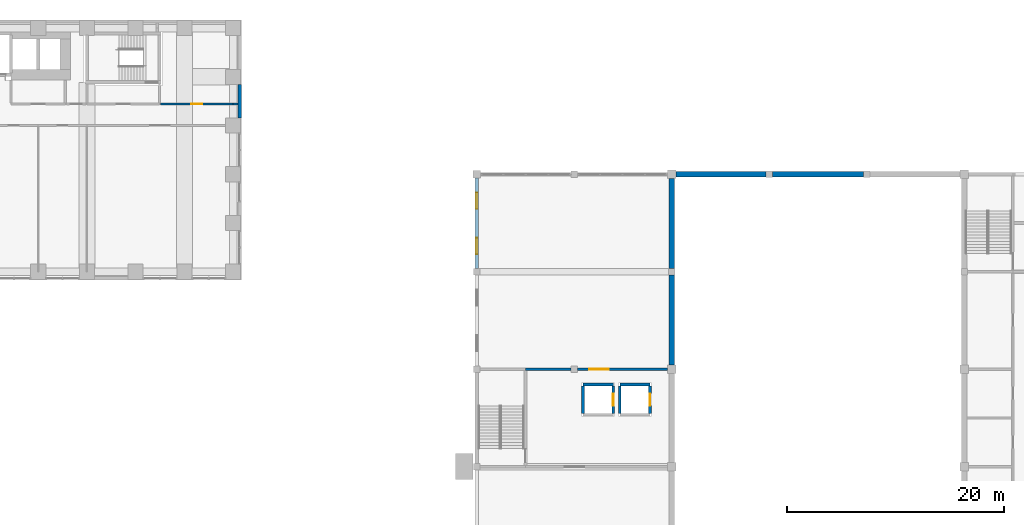
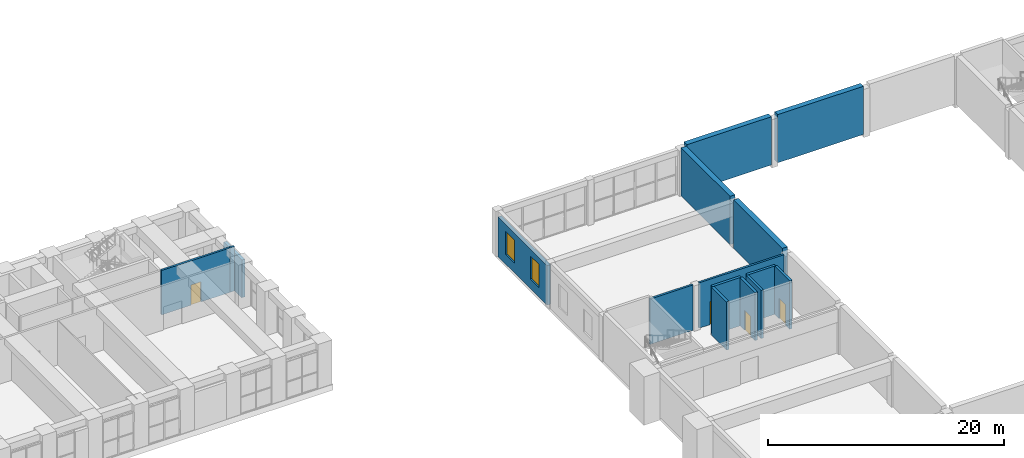
# One storey, part 20 of 30: 16 walls, 4 doors, 2 windows, 6 openings.
"""IFC4 building model written with IfcOpenShell, lengths in metres."""

from ifc_helpers import new_model, si_unit, direction, frame, frame_2d, origin, place, context, subcontext, project, spatial, rectangle, extrude, material, layer, layer_set, type_object, element, fill, save


model = new_model("IFC4")

# Units and contexts
model_context = context("Model", 3, precision=1e-05, world=origin(), true_north=direction((0.0, 1.0)))
body_context = subcontext(model_context, "Body", "Model", "MODEL_VIEW")
ifc_project = project(units=[si_unit("LENGTHUNIT", "METRE"), si_unit("AREAUNIT", "SQUARE_METRE"), si_unit("VOLUMEUNIT", "CUBIC_METRE"), si_unit("PLANEANGLEUNIT", "RADIAN"), si_unit("MASSUNIT", "GRAM", prefix="KILO")], contexts=[model_context])

# Site, building, storey
site_placement = place(None, origin())
site = spatial("IfcSite", under=ifc_project, at=site_placement, CompositionType="ELEMENT")
building_placement = place(site_placement, origin())
building = spatial("IfcBuilding", under=site, at=building_placement, Name="Firuza Court", CompositionType="ELEMENT")
storey_placement = place(building_placement, frame((0.0, 0.0, 9.0)))
storey = spatial("IfcBuildingStorey", under=building, at=storey_placement, Name="L01", CompositionType="ELEMENT", Elevation=9.0)

# Wall
ifc_material_1 = material(Name="Blockwork", Category="masonry")
ifc_layer_1 = layer(ifc_material_1, 0.199951171875)
ifc_layer_set_1 = layer_set([ifc_layer_1], Name="Blockwork")
wall_type_1 = type_object("IfcWallType", Name="HALL PARTITION 200", PredefinedType="STANDARD", material=ifc_layer_set_1)
wall_1_placement = place(storey_placement, frame((94.5, 27.0, 0.0), z_axis=(0.0, 0.0, 1.0), x_axis=(1.0, 0.0, 0.0)))
element("IfcWall", 1, at=wall_1_placement, inside=storey, type_object=wall_type_1, Name="Wall L01.36", PredefinedType="STANDARD", context=body_context, shape_type="SweptSolid", body=[
    extrude(rectangle(XDim=4.199951171875, YDim=0.199951171875, at=frame_2d((2.10009765625, 0.0))), origin(), (0.0, 0.0, 1.0), 4.699951171875),
])

# Wall, opening, door
wall_2_placement = place(storey_placement, frame((99.300048828125, 27.0, 0.0), z_axis=(0.0, 0.0, 1.0), x_axis=(1.0, 0.0, 0.0)))
wall_2 = element("IfcWall", 2, at=wall_2_placement, inside=storey, type_object=wall_type_1, Name="Wall L01.37", PredefinedType="STANDARD", context=body_context, shape_type="SweptSolid", body=[
    extrude(rectangle(XDim=8.300048828125, YDim=0.199951171875, at=frame_2d((4.14990234375, 0.0))), origin(), (0.0, 0.0, 1.0), 4.699951171875),
])
opening_1_placement = place(wall_2_placement, frame((1.070068359375, 0.0, 0.0)))
opening_1 = element("IfcOpeningElement", 3, at=opening_1_placement, cuts=wall_2, Name="Opening H069", PredefinedType="OPENING", context=body_context, shape_type="SweptSolid", body=[
    extrude(rectangle(XDim=1.800048828125, YDim=2.39990234375, at=frame_2d((0.89990234375, 1.199951171875))), frame((0.0, 0.11181640625, 0.0), z_axis=(0.0, -1.0, 0.0), x_axis=(1.0, 0.0, 0.0)), (0.0, 0.0, 1.0), 0.223876953125),
])
ifc_material_2 = material(Name="Timber", Category="wood")
door_type_1 = type_object("IfcDoorType", Name="HALL DOOR 1800X2400", OperationType="DOUBLE_DOOR_SINGLE_SWING", PredefinedType="DOOR", material=ifc_material_2)
door_1_placement = place(opening_1_placement, origin())
door_1 = element("IfcDoor", 4, at=door_1_placement, inside=storey, type_object=door_type_1, Name="Door Restaurant and bar", OperationType="DOUBLE_DOOR_SINGLE_SWING", OverallHeight=2.39990234375, OverallWidth=1.800048828125, PredefinedType="DOOR", context=body_context, shape_type="SweptSolid", body=[
    extrude(rectangle(XDim=1.800048828125, YDim=2.39990234375, at=frame_2d((0.89990234375, 1.199951171875))), frame((0.0, 0.02490234375, 0.0), z_axis=(0.0, -1.0, 0.0), x_axis=(1.0, 0.0, 0.0)), (0.0, 0.0, 1.0), 0.050048828125),
])
fill(opening_1, door_1)

# Walls
ifc_material_3 = material(Name="Concrete C40/50", Category="concrete")
ifc_layer_2 = layer(ifc_material_3, 0.25)
ifc_layer_set_2 = layer_set([ifc_layer_2], Name="Concrete C40/50")
wall_type_2 = type_object("IfcWallType", Name="HALL RC WALL 250", PredefinedType="STANDARD", material=ifc_layer_set_2)
for number, where, z_axis, x_axis, name in (
    (5, (99.800048828125, 25.60009765625, 0.0), (0.0, 0.0, 1.0), (1.0, 0.0, 0.0), "Wall L01.33"),
    (6, (103.199951171875, 25.60009765625, 0.0), (0.0, 0.0, 1.0), (1.0, 0.0, 0.0), "Wall L01.34"),
):
    element("IfcWall", number, at=place(storey_placement, frame(where, z_axis=z_axis, x_axis=x_axis)), inside=storey, type_object=wall_type_2, Name=name, PredefinedType="STANDARD", context=body_context, shape_type="SweptSolid", body=[
        extrude(rectangle(XDim=2.800048828125, YDim=0.25, at=frame_2d((1.39990234375, 0.0))), origin(), (0.0, 0.0, 1.0), 5.0),
    ])
wall_3_placement = place(storey_placement, frame((99.800048828125, 22.925048828125, 0.0), z_axis=(0.0, 0.0, 1.0), x_axis=(0.0, 1.0, 0.0)))
element("IfcWall", 7, at=wall_3_placement, inside=storey, type_object=wall_type_2, Name="Wall L01.57", PredefinedType="STANDARD", context=body_context, shape_type="SweptSolid", body=[
    extrude(rectangle(XDim=2.550048828125, YDim=0.25, at=frame_2d((1.27490234375, 0.0))), origin(), (0.0, 0.0, 1.0), 5.0),
])

# Wall, opening, door
wall_4_placement = place(storey_placement, frame((102.60009765625, 22.925048828125, 0.0), z_axis=(0.0, 0.0, 1.0), x_axis=(0.0, 1.0, 0.0)))
wall_4 = element("IfcWall", 8, at=wall_4_placement, inside=storey, type_object=wall_type_2, Name="Wall L01.59", PredefinedType="STANDARD", context=body_context, shape_type="SweptSolid", body=[
    extrude(rectangle(XDim=2.550048828125, YDim=0.25, at=frame_2d((1.27490234375, 0.0))), origin(), (0.0, 0.0, 1.0), 5.0),
])
opening_2_placement = place(wall_4_placement, frame((0.719970703125, 0.0, 0.0)))
opening_2 = element("IfcOpeningElement", 9, at=opening_2_placement, cuts=wall_4, Name="Opening LD", PredefinedType="OPENING", context=body_context, shape_type="SweptSolid", body=[
    extrude(rectangle(XDim=1.10009765625, YDim=2.10009765625, at=frame_2d((0.550048828125, 1.050048828125))), frame((0.0, 0.136962890625, 0.0), z_axis=(0.0, -1.0, 0.0), x_axis=(1.0, 0.0, 0.0)), (0.0, 0.0, 1.0), 0.27392578125),
])
ifc_material_4 = material(Name="Stainless steel", Category="steel")
door_type_2 = type_object("IfcDoorType", Name="HALL LANDING DOOR 1100X2100", OperationType="SLIDING_TO_LEFT", PredefinedType="DOOR", material=ifc_material_4)
door_2_placement = place(opening_2_placement, origin())
door_2 = element("IfcDoor", 10, at=door_2_placement, inside=storey, type_object=door_type_2, Name="Landing door PL1 L01", OperationType="SLIDING_TO_LEFT", OverallHeight=2.10009765625, OverallWidth=1.10009765625, PredefinedType="DOOR", context=body_context, shape_type="SweptSolid", body=[
    extrude(rectangle(XDim=1.10009765625, YDim=2.10009765625, at=frame_2d((0.550048828125, 1.050048828125))), frame((0.0, 0.02490234375, 0.0), z_axis=(0.0, -1.0, 0.0), x_axis=(1.0, 0.0, 0.0)), (0.0, 0.0, 1.0), 0.050048828125),
])
fill(opening_2, door_2)

# Wall
wall_5_placement = place(storey_placement, frame((103.199951171875, 22.925048828125, 0.0), z_axis=(0.0, 0.0, 1.0), x_axis=(0.0, 1.0, 0.0)))
element("IfcWall", 11, at=wall_5_placement, inside=storey, type_object=wall_type_2, Name="Wall L01.60", PredefinedType="STANDARD", context=body_context, shape_type="SweptSolid", body=[
    extrude(rectangle(XDim=2.550048828125, YDim=0.25, at=frame_2d((1.27490234375, 0.0))), origin(), (0.0, 0.0, 1.0), 5.0),
])

# Wall, opening, door
wall_6_placement = place(storey_placement, frame((106.0, 22.925048828125, 0.0), z_axis=(0.0, 0.0, 1.0), x_axis=(0.0, 1.0, 0.0)))
wall_6 = element("IfcWall", 12, at=wall_6_placement, inside=storey, type_object=wall_type_2, Name="Wall L01.61", PredefinedType="STANDARD", context=body_context, shape_type="SweptSolid", body=[
    extrude(rectangle(XDim=2.550048828125, YDim=0.25, at=frame_2d((1.27490234375, 0.0))), origin(), (0.0, 0.0, 1.0), 5.0),
])
opening_3_placement = place(wall_6_placement, frame((0.719970703125, 0.0, 0.0)))
opening_3 = element("IfcOpeningElement", 13, at=opening_3_placement, cuts=wall_6, Name="Opening LD", PredefinedType="OPENING", context=body_context, shape_type="SweptSolid", body=[
    extrude(rectangle(XDim=1.10009765625, YDim=2.10009765625, at=frame_2d((0.550048828125, 1.050048828125))), frame((0.0, 0.136962890625, 0.0), z_axis=(0.0, -1.0, 0.0), x_axis=(1.0, 0.0, 0.0)), (0.0, 0.0, 1.0), 0.27392578125),
])
door_3_placement = place(opening_3_placement, origin())
door_3 = element("IfcDoor", 14, at=door_3_placement, inside=storey, type_object=door_type_2, Name="Landing door PL2 L01", OperationType="SLIDING_TO_LEFT", OverallHeight=2.10009765625, OverallWidth=1.10009765625, PredefinedType="DOOR", context=body_context, shape_type="SweptSolid", body=[
    extrude(rectangle(XDim=1.10009765625, YDim=2.10009765625, at=frame_2d((0.550048828125, 1.050048828125))), frame((0.0, 0.02490234375, 0.0), z_axis=(0.0, -1.0, 0.0), x_axis=(1.0, 0.0, 0.0)), (0.0, 0.0, 1.0), 0.050048828125),
])
fill(opening_3, door_3)

# Walls
ifc_layer_3 = layer(ifc_material_3, 0.5)
ifc_layer_set_3 = layer_set([ifc_layer_3], Name="Concrete C40/50")
wall_type_3 = type_object("IfcWallType", Name="HALL RC WALL 500", PredefinedType="STANDARD", material=ifc_layer_set_3)
for number, where, z_axis, x_axis, name in (
    (15, (108.0, 27.39990234375, 0.0), (0.0, 0.0, 1.0), (0.0, 1.0, 0.0), "Wall L01.66"),
    (16, (108.0, 36.300048828125, 0.0), (0.0, 0.0, 1.0), (0.0, 1.0, 0.0), "Wall L01.67"),
):
    element("IfcWall", number, at=place(storey_placement, frame(where, z_axis=z_axis, x_axis=x_axis)), inside=storey, type_object=wall_type_3, Name=name, PredefinedType="STANDARD", context=body_context, shape_type="SweptSolid", body=[
        extrude(rectangle(XDim=8.300048828125, YDim=0.5, at=frame_2d((4.14990234375, 0.0))), origin(), (0.0, 0.0, 1.0), 5.0),
    ])
ifc_material_5 = material(Name="Concrete C30/37", Category="concrete")
ifc_layer_4 = layer(ifc_material_5, 0.300048828125)
ifc_material_6 = material(Name="Ceramic tile", Category="ceramic")
ifc_layer_5 = layer(ifc_material_6, 0.050048828125)
ifc_layer_set_4 = layer_set([ifc_layer_4, ifc_layer_5], Name="Concrete C30/37")
wall_type_4 = type_object("IfcWallType", Name="HALL TILE CLAD WALL 350", PredefinedType="STANDARD", material=ifc_layer_set_4)
wall_7_placement = place(storey_placement, frame((108.39990234375, 45.0, 0.0), z_axis=(0.0, 0.0, 1.0), x_axis=(1.0, 0.0, 0.0)))
element("IfcWall", 17, at=wall_7_placement, inside=storey, type_object=wall_type_4, Name="Wall L01.43", PredefinedType="STANDARD", context=body_context, shape_type="SweptSolid", body=[
    extrude(rectangle(XDim=8.300048828125, YDim=0.5, at=frame_2d((4.14990234375, 0.0))), origin(), (0.0, 0.0, 1.0), 5.0),
])
wall_8_placement = place(storey_placement, frame((117.300048828125, 45.0, 0.0), z_axis=(0.0, 0.0, 1.0), x_axis=(1.0, 0.0, 0.0)))
element("IfcWall", 18, at=wall_8_placement, inside=storey, type_object=wall_type_4, Name="Wall L01.44", PredefinedType="STANDARD", context=body_context, shape_type="SweptSolid", body=[
    extrude(rectangle(XDim=8.39990234375, YDim=0.5, at=frame_2d((4.199951171875, 0.0))), origin(), (0.0, 0.0, 1.0), 5.0),
])

# Wall, openings, windows
wall_9_placement = place(storey_placement, frame((90.0, 36.300048828125, 0.0), z_axis=(0.0, 0.0, 1.0), x_axis=(0.0, 1.0, 0.0)))
wall_9 = element("IfcWall", 19, at=wall_9_placement, inside=storey, type_object=wall_type_4, Name="Wall L01.54", PredefinedType="STANDARD", context=body_context, shape_type="SweptSolid", body=[
    extrude(rectangle(XDim=8.349853515625, YDim=0.35009765625, at=frame_2d((4.1748046875, 0.0))), origin(), (0.0, 0.0, 1.0), 4.10009765625),
])
opening_4_placement = place(wall_9_placement, frame((1.33740234375, 0.0, 1.0)))
opening_4 = element("IfcOpeningElement", 20, at=opening_4_placement, cuts=wall_9, Name="Opening HW-1", PredefinedType="OPENING", context=body_context, shape_type="SweptSolid", body=[
    extrude(rectangle(XDim=1.5, YDim=2.39990234375, at=frame_2d((0.75, 1.199951171875))), frame((0.0, 0.18701171875, 0.0), z_axis=(0.0, -1.0, 0.0), x_axis=(1.0, 0.0, 0.0)), (0.0, 0.0, 1.0), 0.3740234375),
])
opening_5_placement = place(wall_9_placement, frame((5.512451171875, 0.0, 1.0)))
opening_5 = element("IfcOpeningElement", 21, at=opening_5_placement, cuts=wall_9, Name="Opening HW-1", PredefinedType="OPENING", context=body_context, shape_type="SweptSolid", body=[
    extrude(rectangle(XDim=1.5, YDim=2.39990234375, at=frame_2d((0.75, 1.199951171875))), frame((0.0, 0.18701171875, 0.0), z_axis=(0.0, -1.0, 0.0), x_axis=(1.0, 0.0, 0.0)), (0.0, 0.0, 1.0), 0.3740234375),
])
ifc_material_7 = material(Name="Aluminium", Category="aluminium")
window_type = type_object("IfcWindowType", Name="HALL WINDOW 1500X2400", PartitioningType="SINGLE_PANEL", PredefinedType="WINDOW", material=ifc_material_7)
window_1_placement = place(opening_4_placement, origin())
window_1 = element("IfcWindow", 22, at=window_1_placement, inside=storey, type_object=window_type, Name="Window L01.33", OverallHeight=2.39990234375, OverallWidth=1.5, PartitioningType="SINGLE_PANEL", PredefinedType="WINDOW", context=body_context, shape_type="SweptSolid", body=[
    extrude(rectangle(XDim=1.5, YDim=2.39990234375, at=frame_2d((0.75, 1.199951171875))), frame((0.0, 0.030029296875, 0.0), z_axis=(0.0, -1.0, 0.0), x_axis=(1.0, 0.0, 0.0)), (0.0, 0.0, 1.0), 0.06005859375),
])
fill(opening_4, window_1)
window_2_placement = place(opening_5_placement, origin())
window_2 = element("IfcWindow", 23, at=window_2_placement, inside=storey, type_object=window_type, Name="Window L01.34", OverallHeight=2.39990234375, OverallWidth=1.5, PartitioningType="SINGLE_PANEL", PredefinedType="WINDOW", context=body_context, shape_type="SweptSolid", body=[
    extrude(rectangle(XDim=1.5, YDim=2.39990234375, at=frame_2d((0.75, 1.199951171875))), frame((0.0, 0.030029296875, 0.0), z_axis=(0.0, -1.0, 0.0), x_axis=(1.0, 0.0, 0.0)), (0.0, 0.0, 1.0), 0.06005859375),
])
fill(opening_5, window_2)

# Wall, opening, door
ifc_material_8 = material(Name="Blockwork, fire-rated", Category="masonry")
ifc_layer_6 = layer(ifc_material_8, 0.199951171875)
ifc_layer_set_5 = layer_set([ifc_layer_6], Name="Blockwork, fire-rated")
wall_type_5 = type_object("IfcWallType", Name="Plant room wall 200", PredefinedType="PARTITIONING", material=ifc_layer_set_5)
wall_10_placement = place(storey_placement, frame((67.5, 51.5, 0.0), z_axis=(0.0, 0.0, 1.0), x_axis=(-1.0, 0.0, 0.0)))
wall_10 = element("IfcWall", 24, at=wall_10_placement, inside=storey, type_object=wall_type_5, Name="Plant room wall 200 L01", PredefinedType="PARTITIONING", context=body_context, shape_type="SweptSolid", body=[
    extrude(rectangle(XDim=6.699951171875, YDim=0.199951171875, at=frame_2d((3.35009765625, 0.0))), origin(), (0.0, 0.0, 1.0), 4.60009765625),
])
opening_6_placement = place(wall_10_placement, frame((2.85009765625, 0.0, 0.0)))
opening_6 = element("IfcOpeningElement", 25, at=opening_6_placement, cuts=wall_10, Name="Opening D01037", PredefinedType="OPENING", context=body_context, shape_type="SweptSolid", body=[
    extrude(rectangle(XDim=1.0, YDim=2.10009765625, at=frame_2d((0.5, 1.050048828125))), frame((0.0, 0.11181640625, 0.0), z_axis=(0.0, -1.0, 0.0), x_axis=(1.0, 0.0, 0.0)), (0.0, 0.0, 1.0), 0.223876953125),
])
ifc_material_9 = material(Name="Timber door leaf in hardwood frame", Category="wood")
door_type_3 = type_object("IfcDoorType", Name="Store door 1000", OperationType="SINGLE_SWING_LEFT", PredefinedType="DOOR", material=ifc_material_9)
door_4_placement = place(opening_6_placement, frame((1.0, 0.0, 0.0), z_axis=(0.0, 0.0, 1.0), x_axis=(-1.0, 0.0, 0.0)))
door_4 = element("IfcDoor", 26, at=door_4_placement, inside=storey, type_object=door_type_3, Name="Store door", OperationType="SINGLE_SWING_LEFT", OverallHeight=2.10009765625, OverallWidth=1.0, PredefinedType="DOOR", context=body_context, shape_type="SweptSolid", body=[
    extrude(rectangle(XDim=1.0, YDim=2.10009765625, at=frame_2d((0.5, 1.050048828125))), frame((0.0, 0.02490234375, 0.0), z_axis=(0.0, -1.0, 0.0), x_axis=(1.0, 0.0, 0.0)), (0.0, 0.0, 1.0), 0.050048828125),
])
fill(opening_6, door_4)

# Walls
wall_11_placement = place(storey_placement, frame((67.949951171875, 51.5, 0.0), z_axis=(0.0, 0.0, 1.0), x_axis=(-1.0, 0.0, 0.0)))
element("IfcWall", 27, at=wall_11_placement, inside=storey, type_object=wall_type_5, Name="Plant room wall 200 L01", PredefinedType="PARTITIONING", context=body_context, shape_type="SweptSolid", body=[
    extrude(rectangle(XDim=0.449951171875, YDim=0.199951171875, at=frame_2d((0.22509765625, 0.0))), origin(), (0.0, 0.0, 1.0), 4.60009765625),
])
ifc_layer_7 = layer(ifc_material_6, 0.02001953125)
ifc_material_10 = material(Name="Mineral wool insulation", Category="insulation")
ifc_layer_8 = layer(ifc_material_10, 0.1298828125)
ifc_material_11 = material(Name="Concrete C40/50 precast", Category="concrete")
ifc_layer_9 = layer(ifc_material_11, 0.14990234375)
ifc_layer_set_6 = layer_set([ifc_layer_7, ifc_layer_8, ifc_layer_9], Name="Concrete C40/50 precast")
wall_type_6 = type_object("IfcWallType", Name="Precast spandrel wall with turquoise TILE PANEL face 300", PredefinedType="STANDARD", material=ifc_layer_set_6)
wall_12_placement = place(storey_placement, frame((68.10009765625, 50.199951171875, 0.0), z_axis=(0.0, 0.0, 1.0), x_axis=(0.0, 1.0, 0.0)))
element("IfcWall", 28, at=wall_12_placement, inside=storey, type_object=wall_type_6, Name="Facade wall L01 E", PredefinedType="STANDARD", context=body_context, shape_type="SweptSolid", body=[
    extrude(rectangle(XDim=3.10009765625, YDim=0.300048828125, at=frame_2d((1.550048828125, 0.0))), origin(), (0.0, 0.0, 1.0), 3.89990234375),
])

save(model, "model.ifc")
